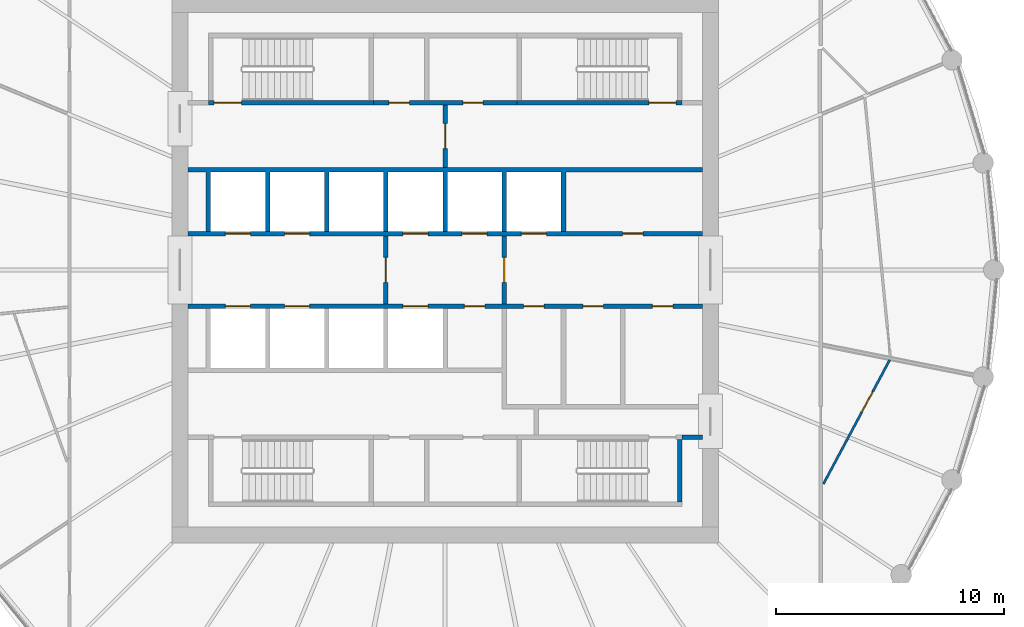
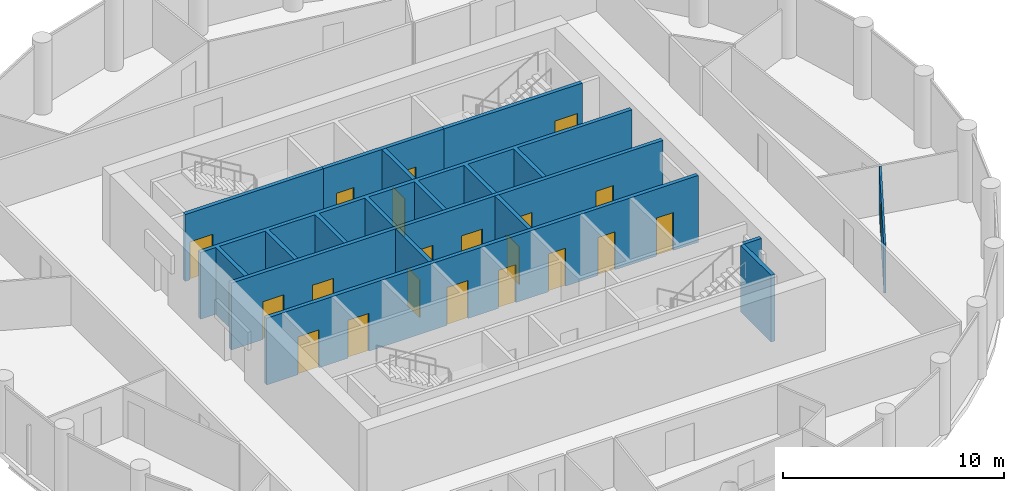
# One storey, part 5 of 8: 21 doors, 12 walls, 21 openings.
"""IFC4 building model written with IfcOpenShell, lengths in metres."""

from ifc_helpers import new_model, si_unit, direction, frame, frame_2d, origin, place, context, subcontext, project, spatial, polyline, rectangle, outline, extrude, material, layer, layer_set, type_object, element, fill, save


model = new_model("IFC4")

# Units and contexts
model_context = context("Model", 3, precision=1e-05, world=origin(), true_north=direction((0.0, 1.0)))
body_context = subcontext(model_context, "Body", "Model", "MODEL_VIEW")
ifc_project = project(units=[si_unit("LENGTHUNIT", "METRE"), si_unit("AREAUNIT", "SQUARE_METRE"), si_unit("VOLUMEUNIT", "CUBIC_METRE"), si_unit("PLANEANGLEUNIT", "RADIAN"), si_unit("MASSUNIT", "GRAM", prefix="KILO")], contexts=[model_context])

# Site, building, storey
site_placement = place(None, origin())
site = spatial("IfcSite", under=ifc_project, at=site_placement, CompositionType="ELEMENT")
building_placement = place(site_placement, origin())
building = spatial("IfcBuilding", under=site, at=building_placement, Name="Corvane Civic Tower", CompositionType="ELEMENT")
storey_placement = place(building_placement, frame((0.0, 0.0, 299.0)))
storey = spatial("IfcBuildingStorey", under=building, at=storey_placement, Name="L71", CompositionType="ELEMENT", Elevation=299.0)

# Wall, openings, doors
ifc_material_1 = material(Name="Concrete C30/37", Category="concrete")
ifc_layer_1 = layer(ifc_material_1, 0.199951171875)
ifc_layer_set_1 = layer_set([ifc_layer_1], Name="Concrete C30/37")
wall_type_1 = type_object("IfcWallType", Name="CR-WALL-200", PredefinedType="PARTITIONING", material=ifc_layer_set_1)
wall_1_placement = place(storey_placement, frame((-11.300048828125, -1.60009765625, 0.0), z_axis=(0.0, 0.0, 1.0), x_axis=(1.0, 0.0, 0.0)))
wall_1 = element("IfcWall", 1, at=wall_1_placement, inside=storey, type_object=wall_type_1, Name="L71 lift shaft wall", PredefinedType="PARTITIONING", context=body_context, shape_type="SweptSolid", body=[
    extrude(rectangle(XDim=22.60009765625, YDim=0.199951171875, at=frame_2d((11.300048828125, 0.0))), origin(), (0.0, 0.0, 1.0), 3.699951171875),
])
opening_1_placement = place(wall_1_placement, frame((1.64990234375, 0.0, 0.0)))
opening_1 = element("IfcOpeningElement", 2, at=opening_1_placement, cuts=wall_1, Name="Opening LD", PredefinedType="OPENING", context=body_context, shape_type="SweptSolid", body=[
    extrude(rectangle(XDim=1.10009765625, YDim=2.10009765625, at=frame_2d((0.550048828125, 1.050048828125))), frame((0.0, 0.10986328125, 0.0), z_axis=(0.0, -1.0, 0.0), x_axis=(1.0, 0.0, 0.0)), (0.0, 0.0, 1.0), 0.219970703125),
])
opening_2_placement = place(wall_1_placement, frame((4.25, 0.0, 0.0)))
opening_2 = element("IfcOpeningElement", 3, at=opening_2_placement, cuts=wall_1, Name="Opening LD", PredefinedType="OPENING", context=body_context, shape_type="SweptSolid", body=[
    extrude(rectangle(XDim=1.10009765625, YDim=2.10009765625, at=frame_2d((0.550048828125, 1.050048828125))), frame((0.0, 0.10986328125, 0.0), z_axis=(0.0, -1.0, 0.0), x_axis=(1.0, 0.0, 0.0)), (0.0, 0.0, 1.0), 0.219970703125),
])
opening_3_placement = place(wall_1_placement, frame((9.449951171875, 0.0, 0.0)))
opening_3 = element("IfcOpeningElement", 4, at=opening_3_placement, cuts=wall_1, Name="Opening LD", PredefinedType="OPENING", context=body_context, shape_type="SweptSolid", body=[
    extrude(rectangle(XDim=1.10009765625, YDim=2.10009765625, at=frame_2d((0.550048828125, 1.050048828125))), frame((0.0, 0.10986328125, 0.0), z_axis=(0.0, -1.0, 0.0), x_axis=(1.0, 0.0, 0.0)), (0.0, 0.0, 1.0), 0.219970703125),
])
opening_4_placement = place(wall_1_placement, frame((12.14990234375, 0.0, 0.0)))
opening_4 = element("IfcOpeningElement", 5, at=opening_4_placement, cuts=wall_1, Name="Opening L71.C02", PredefinedType="OPENING", context=body_context, shape_type="SweptSolid", body=[
    extrude(rectangle(XDim=0.89990234375, YDim=2.10009765625, at=frame_2d((0.449951171875, 1.050048828125))), frame((0.0, 0.10986328125, 0.0), z_axis=(0.0, -1.0, 0.0), x_axis=(1.0, 0.0, 0.0)), (0.0, 0.0, 1.0), 0.219970703125),
])
opening_5_placement = place(wall_1_placement, frame((14.75, 0.0, 0.0)))
opening_5 = element("IfcOpeningElement", 6, at=opening_5_placement, cuts=wall_1, Name="Opening L71.C03", PredefinedType="OPENING", context=body_context, shape_type="SweptSolid", body=[
    extrude(rectangle(XDim=0.89990234375, YDim=2.10009765625, at=frame_2d((0.449951171875, 1.050048828125))), frame((0.0, 0.10986328125, 0.0), z_axis=(0.0, -1.0, 0.0), x_axis=(1.0, 0.0, 0.0)), (0.0, 0.0, 1.0), 0.219970703125),
])
opening_6_placement = place(wall_1_placement, frame((17.35009765625, 0.0, 0.0)))
opening_6 = element("IfcOpeningElement", 7, at=opening_6_placement, cuts=wall_1, Name="Opening L71.C04", PredefinedType="OPENING", context=body_context, shape_type="SweptSolid", body=[
    extrude(rectangle(XDim=0.89990234375, YDim=2.10009765625, at=frame_2d((0.449951171875, 1.050048828125))), frame((0.0, 0.10986328125, 0.0), z_axis=(0.0, -1.0, 0.0), x_axis=(1.0, 0.0, 0.0)), (0.0, 0.0, 1.0), 0.219970703125),
])
opening_7_placement = place(wall_1_placement, frame((20.39990234375, 0.0, 0.0)))
opening_7 = element("IfcOpeningElement", 8, at=opening_7_placement, cuts=wall_1, Name="Opening L71.C05", PredefinedType="OPENING", context=body_context, shape_type="SweptSolid", body=[
    extrude(rectangle(XDim=0.89990234375, YDim=2.10009765625, at=frame_2d((0.449951171875, 1.050048828125))), frame((0.0, 0.10986328125, 0.0), z_axis=(0.0, -1.0, 0.0), x_axis=(1.0, 0.0, 0.0)), (0.0, 0.0, 1.0), 0.219970703125),
])
ifc_material_2 = material(Name="Steel fire door leaf", Category="steel")
door_type_1 = type_object("IfcDoorType", Name="CR-DOOR-900", OperationType="SINGLE_SWING_LEFT", PredefinedType="DOOR", material=ifc_material_2)
door_1_placement = place(opening_4_placement, origin())
door_1 = element("IfcDoor", 9, at=door_1_placement, inside=storey, type_object=door_type_1, Name="L71 door", OperationType="SINGLE_SWING_LEFT", OverallHeight=2.10009765625, OverallWidth=0.89990234375, PredefinedType="DOOR", context=body_context, shape_type="SweptSolid", body=[
    extrude(rectangle(XDim=0.89990234375, YDim=2.10009765625, at=frame_2d((0.449951171875, 1.050048828125))), frame((0.0, 0.02490234375, 0.0), z_axis=(0.0, -1.0, 0.0), x_axis=(1.0, 0.0, 0.0)), (0.0, 0.0, 1.0), 0.050048828125),
])
fill(opening_4, door_1)
door_2_placement = place(opening_5_placement, origin())
door_2 = element("IfcDoor", 10, at=door_2_placement, inside=storey, type_object=door_type_1, Name="L71 door", OperationType="SINGLE_SWING_LEFT", OverallHeight=2.10009765625, OverallWidth=0.89990234375, PredefinedType="DOOR", context=body_context, shape_type="SweptSolid", body=[
    extrude(rectangle(XDim=0.89990234375, YDim=2.10009765625, at=frame_2d((0.449951171875, 1.050048828125))), frame((0.0, 0.02490234375, 0.0), z_axis=(0.0, -1.0, 0.0), x_axis=(1.0, 0.0, 0.0)), (0.0, 0.0, 1.0), 0.050048828125),
])
fill(opening_5, door_2)
door_3_placement = place(opening_6_placement, origin())
door_3 = element("IfcDoor", 11, at=door_3_placement, inside=storey, type_object=door_type_1, Name="L71 door", OperationType="SINGLE_SWING_LEFT", OverallHeight=2.10009765625, OverallWidth=0.89990234375, PredefinedType="DOOR", context=body_context, shape_type="SweptSolid", body=[
    extrude(rectangle(XDim=0.89990234375, YDim=2.10009765625, at=frame_2d((0.449951171875, 1.050048828125))), frame((0.0, 0.02490234375, 0.0), z_axis=(0.0, -1.0, 0.0), x_axis=(1.0, 0.0, 0.0)), (0.0, 0.0, 1.0), 0.050048828125),
])
fill(opening_6, door_3)
door_4_placement = place(opening_7_placement, origin())
door_4 = element("IfcDoor", 12, at=door_4_placement, inside=storey, type_object=door_type_1, Name="L71 door", OperationType="SINGLE_SWING_LEFT", OverallHeight=2.10009765625, OverallWidth=0.89990234375, PredefinedType="DOOR", context=body_context, shape_type="SweptSolid", body=[
    extrude(rectangle(XDim=0.89990234375, YDim=2.10009765625, at=frame_2d((0.449951171875, 1.050048828125))), frame((0.0, 0.02490234375, 0.0), z_axis=(0.0, -1.0, 0.0), x_axis=(1.0, 0.0, 0.0)), (0.0, 0.0, 1.0), 0.050048828125),
])
fill(opening_7, door_4)
ifc_material_3 = material(Name="Stainless steel 316 door leaves", Category="steel")
door_type_2 = type_object("IfcDoorType", Name="LD", OperationType="DOUBLE_DOOR_SLIDING", PredefinedType="DOOR", material=ifc_material_3)
door_5_placement = place(opening_1_placement, origin())
door_5 = element("IfcDoor", 13, at=door_5_placement, inside=storey, type_object=door_type_2, Name="L71 landing door", OperationType="DOUBLE_DOOR_SLIDING", OverallHeight=2.10009765625, OverallWidth=1.10009765625, PredefinedType="DOOR", context=body_context, shape_type="SweptSolid", body=[
    extrude(rectangle(XDim=1.10009765625, YDim=2.10009765625, at=frame_2d((0.550048828125, 1.050048828125))), frame((0.0, 0.02490234375, 0.0), z_axis=(0.0, -1.0, 0.0), x_axis=(1.0, 0.0, 0.0)), (0.0, 0.0, 1.0), 0.050048828125),
])
fill(opening_1, door_5)
door_6_placement = place(opening_2_placement, origin())
door_6 = element("IfcDoor", 14, at=door_6_placement, inside=storey, type_object=door_type_2, Name="L71 landing door", OperationType="DOUBLE_DOOR_SLIDING", OverallHeight=2.10009765625, OverallWidth=1.10009765625, PredefinedType="DOOR", context=body_context, shape_type="SweptSolid", body=[
    extrude(rectangle(XDim=1.10009765625, YDim=2.10009765625, at=frame_2d((0.550048828125, 1.050048828125))), frame((0.0, 0.02490234375, 0.0), z_axis=(0.0, -1.0, 0.0), x_axis=(1.0, 0.0, 0.0)), (0.0, 0.0, 1.0), 0.050048828125),
])
fill(opening_2, door_6)
door_7_placement = place(opening_3_placement, origin())
door_7 = element("IfcDoor", 15, at=door_7_placement, inside=storey, type_object=door_type_2, Name="L71 landing door", OperationType="DOUBLE_DOOR_SLIDING", OverallHeight=2.10009765625, OverallWidth=1.10009765625, PredefinedType="DOOR", context=body_context, shape_type="SweptSolid", body=[
    extrude(rectangle(XDim=1.10009765625, YDim=2.10009765625, at=frame_2d((0.550048828125, 1.050048828125))), frame((0.0, 0.02490234375, 0.0), z_axis=(0.0, -1.0, 0.0), x_axis=(1.0, 0.0, 0.0)), (0.0, 0.0, 1.0), 0.050048828125),
])
fill(opening_3, door_7)

wall_2_placement = place(storey_placement, frame((-11.300048828125, 1.60009765625, 0.0), z_axis=(0.0, 0.0, 1.0), x_axis=(1.0, 0.0, 0.0)))
wall_2 = element("IfcWall", 16, at=wall_2_placement, inside=storey, type_object=wall_type_1, Name="L71 lift shaft wall", PredefinedType="PARTITIONING", context=body_context, shape_type="SweptSolid", body=[
    extrude(rectangle(XDim=22.60009765625, YDim=0.199951171875, at=frame_2d((11.300048828125, 0.0))), origin(), (0.0, 0.0, 1.0), 3.699951171875),
])
opening_8_placement = place(wall_2_placement, frame((1.64990234375, 0.0, 0.0)))
opening_8 = element("IfcOpeningElement", 17, at=opening_8_placement, cuts=wall_2, Name="Opening LD", PredefinedType="OPENING", context=body_context, shape_type="SweptSolid", body=[
    extrude(rectangle(XDim=1.10009765625, YDim=2.10009765625, at=frame_2d((0.550048828125, 1.050048828125))), frame((0.0, 0.10986328125, 0.0), z_axis=(0.0, -1.0, 0.0), x_axis=(1.0, 0.0, 0.0)), (0.0, 0.0, 1.0), 0.219970703125),
])
opening_9_placement = place(wall_2_placement, frame((4.25, 0.0, 0.0)))
opening_9 = element("IfcOpeningElement", 18, at=opening_9_placement, cuts=wall_2, Name="Opening LD", PredefinedType="OPENING", context=body_context, shape_type="SweptSolid", body=[
    extrude(rectangle(XDim=1.10009765625, YDim=2.10009765625, at=frame_2d((0.550048828125, 1.050048828125))), frame((0.0, 0.10986328125, 0.0), z_axis=(0.0, -1.0, 0.0), x_axis=(1.0, 0.0, 0.0)), (0.0, 0.0, 1.0), 0.219970703125),
])
opening_10_placement = place(wall_2_placement, frame((9.449951171875, 0.0, 0.0)))
opening_10 = element("IfcOpeningElement", 19, at=opening_10_placement, cuts=wall_2, Name="Opening LD", PredefinedType="OPENING", context=body_context, shape_type="SweptSolid", body=[
    extrude(rectangle(XDim=1.10009765625, YDim=2.10009765625, at=frame_2d((0.550048828125, 1.050048828125))), frame((0.0, 0.10986328125, 0.0), z_axis=(0.0, -1.0, 0.0), x_axis=(1.0, 0.0, 0.0)), (0.0, 0.0, 1.0), 0.219970703125),
])
opening_11_placement = place(wall_2_placement, frame((12.050048828125, 0.0, 0.0)))
opening_11 = element("IfcOpeningElement", 20, at=opening_11_placement, cuts=wall_2, Name="Opening LD", PredefinedType="OPENING", context=body_context, shape_type="SweptSolid", body=[
    extrude(rectangle(XDim=1.10009765625, YDim=2.10009765625, at=frame_2d((0.550048828125, 1.050048828125))), frame((0.0, 0.10986328125, 0.0), z_axis=(0.0, -1.0, 0.0), x_axis=(1.0, 0.0, 0.0)), (0.0, 0.0, 1.0), 0.219970703125),
])
opening_12_placement = place(wall_2_placement, frame((14.64990234375, 0.0, 0.0)))
opening_12 = element("IfcOpeningElement", 21, at=opening_12_placement, cuts=wall_2, Name="Opening LD", PredefinedType="OPENING", context=body_context, shape_type="SweptSolid", body=[
    extrude(rectangle(XDim=1.10009765625, YDim=2.10009765625, at=frame_2d((0.550048828125, 1.050048828125))), frame((0.0, 0.10986328125, 0.0), z_axis=(0.0, -1.0, 0.0), x_axis=(1.0, 0.0, 0.0)), (0.0, 0.0, 1.0), 0.219970703125),
])
opening_13_placement = place(wall_2_placement, frame((19.10009765625, 0.0, 0.0)))
opening_13 = element("IfcOpeningElement", 22, at=opening_13_placement, cuts=wall_2, Name="Opening L71.C01", PredefinedType="OPENING", context=body_context, shape_type="SweptSolid", body=[
    extrude(rectangle(XDim=0.89990234375, YDim=2.10009765625, at=frame_2d((0.449951171875, 1.050048828125))), frame((0.0, 0.10986328125, 0.0), z_axis=(0.0, -1.0, 0.0), x_axis=(1.0, 0.0, 0.0)), (0.0, 0.0, 1.0), 0.219970703125),
])
door_8_placement = place(opening_13_placement, origin())
door_8 = element("IfcDoor", 23, at=door_8_placement, inside=storey, type_object=door_type_1, Name="L71 door", OperationType="SINGLE_SWING_LEFT", OverallHeight=2.10009765625, OverallWidth=0.89990234375, PredefinedType="DOOR", context=body_context, shape_type="SweptSolid", body=[
    extrude(rectangle(XDim=0.89990234375, YDim=2.10009765625, at=frame_2d((0.449951171875, 1.050048828125))), frame((0.0, 0.02490234375, 0.0), z_axis=(0.0, -1.0, 0.0), x_axis=(1.0, 0.0, 0.0)), (0.0, 0.0, 1.0), 0.050048828125),
])
fill(opening_13, door_8)
door_9_placement = place(opening_8_placement, origin())
door_9 = element("IfcDoor", 24, at=door_9_placement, inside=storey, type_object=door_type_2, Name="L71 landing door", OperationType="DOUBLE_DOOR_SLIDING", OverallHeight=2.10009765625, OverallWidth=1.10009765625, PredefinedType="DOOR", context=body_context, shape_type="SweptSolid", body=[
    extrude(rectangle(XDim=1.10009765625, YDim=2.10009765625, at=frame_2d((0.550048828125, 1.050048828125))), frame((0.0, 0.02490234375, 0.0), z_axis=(0.0, -1.0, 0.0), x_axis=(1.0, 0.0, 0.0)), (0.0, 0.0, 1.0), 0.050048828125),
])
fill(opening_8, door_9)
door_10_placement = place(opening_9_placement, origin())
door_10 = element("IfcDoor", 25, at=door_10_placement, inside=storey, type_object=door_type_2, Name="L71 landing door", OperationType="DOUBLE_DOOR_SLIDING", OverallHeight=2.10009765625, OverallWidth=1.10009765625, PredefinedType="DOOR", context=body_context, shape_type="SweptSolid", body=[
    extrude(rectangle(XDim=1.10009765625, YDim=2.10009765625, at=frame_2d((0.550048828125, 1.050048828125))), frame((0.0, 0.02490234375, 0.0), z_axis=(0.0, -1.0, 0.0), x_axis=(1.0, 0.0, 0.0)), (0.0, 0.0, 1.0), 0.050048828125),
])
fill(opening_9, door_10)
door_11_placement = place(opening_10_placement, origin())
door_11 = element("IfcDoor", 26, at=door_11_placement, inside=storey, type_object=door_type_2, Name="L71 landing door", OperationType="DOUBLE_DOOR_SLIDING", OverallHeight=2.10009765625, OverallWidth=1.10009765625, PredefinedType="DOOR", context=body_context, shape_type="SweptSolid", body=[
    extrude(rectangle(XDim=1.10009765625, YDim=2.10009765625, at=frame_2d((0.550048828125, 1.050048828125))), frame((0.0, 0.02490234375, 0.0), z_axis=(0.0, -1.0, 0.0), x_axis=(1.0, 0.0, 0.0)), (0.0, 0.0, 1.0), 0.050048828125),
])
fill(opening_10, door_11)
door_12_placement = place(opening_11_placement, origin())
door_12 = element("IfcDoor", 27, at=door_12_placement, inside=storey, type_object=door_type_2, Name="L71 landing door", OperationType="DOUBLE_DOOR_SLIDING", OverallHeight=2.10009765625, OverallWidth=1.10009765625, PredefinedType="DOOR", context=body_context, shape_type="SweptSolid", body=[
    extrude(rectangle(XDim=1.10009765625, YDim=2.10009765625, at=frame_2d((0.550048828125, 1.050048828125))), frame((0.0, 0.02490234375, 0.0), z_axis=(0.0, -1.0, 0.0), x_axis=(1.0, 0.0, 0.0)), (0.0, 0.0, 1.0), 0.050048828125),
])
fill(opening_11, door_12)
door_13_placement = place(opening_12_placement, origin())
door_13 = element("IfcDoor", 28, at=door_13_placement, inside=storey, type_object=door_type_2, Name="L71 landing door", OperationType="DOUBLE_DOOR_SLIDING", OverallHeight=2.10009765625, OverallWidth=1.10009765625, PredefinedType="DOOR", context=body_context, shape_type="SweptSolid", body=[
    extrude(rectangle(XDim=1.10009765625, YDim=2.10009765625, at=frame_2d((0.550048828125, 1.050048828125))), frame((0.0, 0.02490234375, 0.0), z_axis=(0.0, -1.0, 0.0), x_axis=(1.0, 0.0, 0.0)), (0.0, 0.0, 1.0), 0.050048828125),
])
fill(opening_12, door_13)

wall_3_placement = place(storey_placement, frame((-3.14990234375, 7.35009765625, 0.0), z_axis=(0.0, 0.0, 1.0), x_axis=(1.0, 0.0, 0.0)))
wall_3 = element("IfcWall", 29, at=wall_3_placement, inside=storey, type_object=wall_type_1, Name="L71 partition wall", PredefinedType="PARTITIONING", context=body_context, shape_type="SweptSolid", body=[
    extrude(rectangle(XDim=6.2998046875, YDim=0.199951171875, at=frame_2d((3.14990234375, 0.0))), origin(), (0.0, 0.0, 1.0), 3.699951171875),
])
opening_14_placement = place(wall_3_placement, frame((0.675048828125, 0.0, 0.0)))
opening_14 = element("IfcOpeningElement", 30, at=opening_14_placement, cuts=wall_3, Name="Opening L71.C06", PredefinedType="OPENING", context=body_context, shape_type="SweptSolid", body=[
    extrude(rectangle(XDim=0.89990234375, YDim=2.10009765625, at=frame_2d((0.449951171875, 1.050048828125))), frame((0.0, 0.10986328125, 0.0), z_axis=(0.0, -1.0, 0.0), x_axis=(1.0, 0.0, 0.0)), (0.0, 0.0, 1.0), 0.219970703125),
])
opening_15_placement = place(wall_3_placement, frame((3.925048828125, 0.0, 0.0)))
opening_15 = element("IfcOpeningElement", 31, at=opening_15_placement, cuts=wall_3, Name="Opening L71.C07", PredefinedType="OPENING", context=body_context, shape_type="SweptSolid", body=[
    extrude(rectangle(XDim=0.89990234375, YDim=2.10009765625, at=frame_2d((0.449951171875, 1.050048828125))), frame((0.0, 0.10986328125, 0.0), z_axis=(0.0, -1.0, 0.0), x_axis=(1.0, 0.0, 0.0)), (0.0, 0.0, 1.0), 0.219970703125),
])
door_14_placement = place(opening_14_placement, origin())
door_14 = element("IfcDoor", 32, at=door_14_placement, inside=storey, type_object=door_type_1, Name="L71 door", OperationType="SINGLE_SWING_LEFT", OverallHeight=2.10009765625, OverallWidth=0.89990234375, PredefinedType="DOOR", context=body_context, shape_type="SweptSolid", body=[
    extrude(rectangle(XDim=0.89990234375, YDim=2.10009765625, at=frame_2d((0.449951171875, 1.050048828125))), frame((0.0, 0.02490234375, 0.0), z_axis=(0.0, -1.0, 0.0), x_axis=(1.0, 0.0, 0.0)), (0.0, 0.0, 1.0), 0.050048828125),
])
fill(opening_14, door_14)
door_15_placement = place(opening_15_placement, origin())
door_15 = element("IfcDoor", 33, at=door_15_placement, inside=storey, type_object=door_type_1, Name="L71 door", OperationType="SINGLE_SWING_LEFT", OverallHeight=2.10009765625, OverallWidth=0.89990234375, PredefinedType="DOOR", context=body_context, shape_type="SweptSolid", body=[
    extrude(rectangle(XDim=0.89990234375, YDim=2.10009765625, at=frame_2d((0.449951171875, 1.050048828125))), frame((0.0, 0.02490234375, 0.0), z_axis=(0.0, -1.0, 0.0), x_axis=(1.0, 0.0, 0.0)), (0.0, 0.0, 1.0), 0.050048828125),
])
fill(opening_15, door_15)

# Wall, opening, door
wall_4_placement = place(storey_placement, frame((-2.60009765625, -1.5, 0.0), z_axis=(0.0, 0.0, 1.0), x_axis=(0.0, 1.0, 0.0)))
wall_4 = element("IfcWall", 34, at=wall_4_placement, inside=storey, type_object=wall_type_1, Name="L71 firefighting lobby wall", PredefinedType="PARTITIONING", context=body_context, shape_type="SweptSolid", body=[
    extrude(rectangle(XDim=3.0, YDim=0.199951171875, at=frame_2d((1.5, 0.0))), origin(), (0.0, 0.0, 1.0), 3.699951171875),
])
opening_16_placement = place(wall_4_placement, frame((0.949951171875, 0.0, 0.0)))
opening_16 = element("IfcOpeningElement", 35, at=opening_16_placement, cuts=wall_4, Name="Opening L71.C14", PredefinedType="OPENING", context=body_context, shape_type="SweptSolid", body=[
    extrude(rectangle(XDim=1.10009765625, YDim=2.10009765625, at=frame_2d((0.550048828125, 1.050048828125))), frame((0.0, 0.10986328125, 0.0), z_axis=(0.0, -1.0, 0.0), x_axis=(1.0, 0.0, 0.0)), (0.0, 0.0, 1.0), 0.219970703125),
])
ifc_material_4 = material(Name="Steel fire door leaf", Category="steel")
door_type_3 = type_object("IfcDoorType", Name="CR-DOOR-FFL-1100", OperationType="SINGLE_SWING_LEFT", PredefinedType="DOOR", material=ifc_material_4)
door_16_placement = place(opening_16_placement, origin())
door_16 = element("IfcDoor", 36, at=door_16_placement, inside=storey, type_object=door_type_3, Name="L71 lobby door", OperationType="SINGLE_SWING_LEFT", OverallHeight=2.10009765625, OverallWidth=1.10009765625, PredefinedType="DOOR", context=body_context, shape_type="SweptSolid", body=[
    extrude(rectangle(XDim=1.10009765625, YDim=2.10009765625, at=frame_2d((0.550048828125, 1.050048828125))), frame((0.0, 0.02490234375, 0.0), z_axis=(0.0, -1.0, 0.0), x_axis=(1.0, 0.0, 0.0)), (0.0, 0.0, 1.0), 0.050048828125),
])
fill(opening_16, door_16)

wall_5_placement = place(storey_placement, frame((0.0, 4.5, 0.0), z_axis=(0.0, 0.0, 1.0), x_axis=(0.0, 1.0, 0.0)))
wall_5 = element("IfcWall", 37, at=wall_5_placement, inside=storey, type_object=wall_type_1, Name="L71 core partition wall", PredefinedType="PARTITIONING", context=body_context, shape_type="SweptSolid", body=[
    extrude(rectangle(XDim=2.75, YDim=0.199951171875, at=frame_2d((1.375, 0.0))), origin(), (0.0, 0.0, 1.0), 3.699951171875),
])
opening_17_placement = place(wall_5_placement, frame((0.824951171875, 0.0, 0.0)))
opening_17 = element("IfcOpeningElement", 38, at=opening_17_placement, cuts=wall_5, Name="Opening L71.C16", PredefinedType="OPENING", context=body_context, shape_type="SweptSolid", body=[
    extrude(rectangle(XDim=1.10009765625, YDim=2.10009765625, at=frame_2d((0.550048828125, 1.050048828125))), frame((0.0, 0.10986328125, 0.0), z_axis=(0.0, -1.0, 0.0), x_axis=(1.0, 0.0, 0.0)), (0.0, 0.0, 1.0), 0.219970703125),
])
door_17_placement = place(opening_17_placement, origin())
door_17 = element("IfcDoor", 39, at=door_17_placement, inside=storey, type_object=door_type_3, Name="L71 lobby door", OperationType="SINGLE_SWING_LEFT", OverallHeight=2.10009765625, OverallWidth=1.10009765625, PredefinedType="DOOR", context=body_context, shape_type="SweptSolid", body=[
    extrude(rectangle(XDim=1.10009765625, YDim=2.10009765625, at=frame_2d((0.550048828125, 1.050048828125))), frame((0.0, 0.02490234375, 0.0), z_axis=(0.0, -1.0, 0.0), x_axis=(1.0, 0.0, 0.0)), (0.0, 0.0, 1.0), 0.050048828125),
])
fill(opening_17, door_17)

wall_6_placement = place(storey_placement, frame((2.60009765625, -1.5, 0.0), z_axis=(0.0, 0.0, 1.0), x_axis=(0.0, 1.0, 0.0)))
wall_6 = element("IfcWall", 40, at=wall_6_placement, inside=storey, type_object=wall_type_1, Name="L71 firefighting lobby wall", PredefinedType="PARTITIONING", context=body_context, shape_type="SweptSolid", body=[
    extrude(rectangle(XDim=3.0, YDim=0.199951171875, at=frame_2d((1.5, 0.0))), origin(), (0.0, 0.0, 1.0), 3.699951171875),
])
opening_18_placement = place(wall_6_placement, frame((0.949951171875, 0.0, 0.0)))
opening_18 = element("IfcOpeningElement", 41, at=opening_18_placement, cuts=wall_6, Name="Opening L71.C15", PredefinedType="OPENING", context=body_context, shape_type="SweptSolid", body=[
    extrude(rectangle(XDim=1.10009765625, YDim=2.10009765625, at=frame_2d((0.550048828125, 1.050048828125))), frame((0.0, 0.10986328125, 0.0), z_axis=(0.0, -1.0, 0.0), x_axis=(1.0, 0.0, 0.0)), (0.0, 0.0, 1.0), 0.219970703125),
])
door_18_placement = place(opening_18_placement, origin())
door_18 = element("IfcDoor", 42, at=door_18_placement, inside=storey, type_object=door_type_3, Name="L71 lobby door", OperationType="SINGLE_SWING_LEFT", OverallHeight=2.10009765625, OverallWidth=1.10009765625, PredefinedType="DOOR", context=body_context, shape_type="SweptSolid", body=[
    extrude(rectangle(XDim=1.10009765625, YDim=2.10009765625, at=frame_2d((0.550048828125, 1.050048828125))), frame((0.0, 0.02490234375, 0.0), z_axis=(0.0, -1.0, 0.0), x_axis=(1.0, 0.0, 0.0)), (0.0, 0.0, 1.0), 0.050048828125),
])
fill(opening_18, door_18)

# Walls
wall_7_placement = place(storey_placement, origin())
element("IfcWall", 43, at=wall_7_placement, inside=storey, type_object=wall_type_1, Name="L71 core partition wall", PredefinedType="PARTITIONING", context=body_context, shape_type="SweptSolid", body=[
    extrude(outline(polyline([(0.10009765625, 1.699951171875), (-0.10009765625, 1.699951171875), (-0.10009765625, 4.300048828125), (-2.5, 4.300048828125), (-2.5, 1.699951171875), (-2.699951171875, 1.699951171875), (-2.699951171875, 4.300048828125), (-5.10009765625, 4.300048828125), (-5.10009765625, 1.699951171875), (-5.300048828125, 1.699951171875), (-5.300048828125, 4.300048828125), (-7.699951171875, 4.300048828125), (-7.699951171875, 1.699951171875), (-7.89990234375, 1.699951171875), (-7.89990234375, 4.300048828125), (-10.300048828125, 4.300048828125), (-10.300048828125, 1.699951171875), (-10.5, 1.699951171875), (-10.5, 4.300048828125), (-11.300048828125, 4.300048828125), (-11.300048828125, 4.5), (11.300048828125, 4.5), (11.300048828125, 4.300048828125), (5.300048828125, 4.300048828125), (5.300048828125, 1.699951171875), (5.10009765625, 1.699951171875), (5.10009765625, 4.300048828125), (2.699951171875, 4.300048828125), (2.699951171875, 1.699951171875), (2.5, 1.699951171875), (2.5, 4.300048828125), (0.10009765625, 4.300048828125), (0.10009765625, 1.699951171875)])), origin(), (0.0, 0.0, 1.0), 3.699951171875),
])
wall_8_placement = place(storey_placement, origin())
element("IfcWall", 44, at=wall_8_placement, inside=storey, type_object=wall_type_1, Name="L71 core partition wall", PredefinedType="PARTITIONING", context=body_context, shape_type="SweptSolid", body=[
    extrude(outline(polyline([(11.300048828125, -7.449951171875), (10.39990234375, -7.449951171875), (10.39990234375, -7.25), (11.300048828125, -7.25), (11.300048828125, -7.449951171875)])), origin(), (0.0, 0.0, 1.0), 3.699951171875),
])

# Wall, opening, door
ifc_material_5 = material(Name="Plasterboard")
ifc_layer_2 = layer(ifc_material_5, 0.10009765625)
ifc_layer_set_2 = layer_set([ifc_layer_2], Name="Plasterboard")
wall_type_2 = type_object("IfcWallType", Name="Partition 100 plasterboard on studs", PredefinedType="PARTITIONING", material=ifc_layer_set_2)
wall_9_placement = place(storey_placement, frame((16.619140625, -9.396484375, 0.0), z_axis=(0.0, 0.0, 1.0), x_axis=(0.471386284429, 0.881926851191, 0.0)))
wall_9 = element("IfcWall", 45, at=wall_9_placement, inside=storey, type_object=wall_type_2, Name="Partition L71.017", PredefinedType="PARTITIONING", context=body_context, shape_type="SweptSolid", body=[
    extrude(rectangle(XDim=6.175048828125, YDim=0.10009765625, at=frame_2d((3.08740234375, 0.0))), origin(), (0.0, 0.0, 1.0), 2.699951171875),
])
opening_19_placement = place(wall_9_placement, frame((3.58154296875, 0.0, 0.0)))
opening_19 = element("IfcOpeningElement", 46, at=opening_19_placement, cuts=wall_9, Name="Opening L71.003", PredefinedType="OPENING", context=body_context, shape_type="SweptSolid", body=[
    extrude(rectangle(XDim=1.0, YDim=2.10009765625, at=frame_2d((0.5, 1.050048828125))), frame((0.0, 0.06005859375, 0.0), z_axis=(0.0, -1.0, 0.0), x_axis=(1.0, 0.0, 0.0)), (0.0, 0.0, 1.0), 0.1201171875),
])
ifc_material_6 = material(Name="Timber", Category="wood")
door_type_4 = type_object("IfcDoorType", Name="Single door 1000", OperationType="NOTDEFINED", PredefinedType="DOOR", material=ifc_material_6)
door_19_placement = place(opening_19_placement, frame((1.0, 0.0, 0.0), z_axis=(0.0, 0.0, 1.0), x_axis=(-1.0, 0.0, 0.0)))
door_19 = element("IfcDoor", 47, at=door_19_placement, inside=storey, type_object=door_type_4, Name="Door L71.003", OperationType="SINGLE_SWING_RIGHT", OverallHeight=2.10009765625, OverallWidth=1.0, PredefinedType="DOOR", context=body_context, shape_type="SweptSolid", body=[
    extrude(rectangle(XDim=1.0, YDim=2.10009765625, at=frame_2d((0.5, 1.050048828125))), frame((0.0, 0.02490234375, 0.0), z_axis=(0.0, -1.0, 0.0), x_axis=(1.0, 0.0, 0.0)), (0.0, 0.0, 1.0), 0.050048828125),
])
fill(opening_19, door_19)

ifc_material_7 = material(Name="Concrete C50/60", Category="concrete")
ifc_layer_3 = layer(ifc_material_7, 0.199951171875)
ifc_layer_set_3 = layer_set([ifc_layer_3], Name="Concrete C50/60")
wall_type_3 = type_object("IfcWallType", Name="ST-WALL-200", PredefinedType="SHEAR", material=ifc_layer_set_3)
wall_10_placement = place(storey_placement, frame((-10.39990234375, 7.35009765625, 0.0), z_axis=(0.0, 0.0, 1.0), x_axis=(1.0, 0.0, 0.0)))
wall_10 = element("IfcWall", 48, at=wall_10_placement, inside=storey, type_object=wall_type_3, Name="L71 stair enclosure wall", PredefinedType="SHEAR", context=body_context, shape_type="SweptSolid", body=[
    extrude(rectangle(XDim=7.25, YDim=0.199951171875, at=frame_2d((3.625, 0.0))), origin(), (0.0, 0.0, 1.0), 3.699951171875),
])
opening_20_placement = place(wall_10_placement, frame((0.25, 0.0, 0.0)))
opening_20 = element("IfcOpeningElement", 49, at=opening_20_placement, cuts=wall_10, Name="Opening L71.C11", PredefinedType="OPENING", context=body_context, shape_type="SweptSolid", body=[
    extrude(rectangle(XDim=1.199951171875, YDim=2.10009765625, at=frame_2d((0.60009765625, 1.050048828125))), frame((0.0, 0.10986328125, 0.0), z_axis=(0.0, -1.0, 0.0), x_axis=(1.0, 0.0, 0.0)), (0.0, 0.0, 1.0), 0.219970703125),
])
ifc_material_8 = material(Name="Steel fire door leaf", Category="steel")
door_type_5 = type_object("IfcDoorType", Name="ST-DOOR-1200", OperationType="SINGLE_SWING_RIGHT", PredefinedType="DOOR", material=ifc_material_8)
door_20_placement = place(opening_20_placement, origin())
door_20 = element("IfcDoor", 50, at=door_20_placement, inside=storey, type_object=door_type_5, Name="L71 stair door", OperationType="SINGLE_SWING_RIGHT", OverallHeight=2.10009765625, OverallWidth=1.199951171875, PredefinedType="DOOR", context=body_context, shape_type="SweptSolid", body=[
    extrude(rectangle(XDim=1.199951171875, YDim=2.10009765625, at=frame_2d((0.60009765625, 1.050048828125))), frame((0.0, 0.02490234375, 0.0), z_axis=(0.0, -1.0, 0.0), x_axis=(1.0, 0.0, 0.0)), (0.0, 0.0, 1.0), 0.050048828125),
])
fill(opening_20, door_20)

wall_11_placement = place(storey_placement, frame((3.14990234375, 7.35009765625, 0.0), z_axis=(0.0, 0.0, 1.0), x_axis=(1.0, 0.0, 0.0)))
wall_11 = element("IfcWall", 51, at=wall_11_placement, inside=storey, type_object=wall_type_3, Name="L71 stair enclosure wall", PredefinedType="SHEAR", context=body_context, shape_type="SweptSolid", body=[
    extrude(rectangle(XDim=7.25, YDim=0.199951171875, at=frame_2d((3.625, 0.0))), origin(), (0.0, 0.0, 1.0), 3.699951171875),
])
opening_21_placement = place(wall_11_placement, frame((5.800048828125, 0.0, 0.0)))
opening_21 = element("IfcOpeningElement", 52, at=opening_21_placement, cuts=wall_11, Name="Opening L71.C10", PredefinedType="OPENING", context=body_context, shape_type="SweptSolid", body=[
    extrude(rectangle(XDim=1.199951171875, YDim=2.10009765625, at=frame_2d((0.60009765625, 1.050048828125))), frame((0.0, 0.10986328125, 0.0), z_axis=(0.0, -1.0, 0.0), x_axis=(1.0, 0.0, 0.0)), (0.0, 0.0, 1.0), 0.219970703125),
])
door_21_placement = place(opening_21_placement, origin())
door_21 = element("IfcDoor", 53, at=door_21_placement, inside=storey, type_object=door_type_5, Name="L71 stair door", OperationType="SINGLE_SWING_RIGHT", OverallHeight=2.10009765625, OverallWidth=1.199951171875, PredefinedType="DOOR", context=body_context, shape_type="SweptSolid", body=[
    extrude(rectangle(XDim=1.199951171875, YDim=2.10009765625, at=frame_2d((0.60009765625, 1.050048828125))), frame((0.0, 0.02490234375, 0.0), z_axis=(0.0, -1.0, 0.0), x_axis=(1.0, 0.0, 0.0)), (0.0, 0.0, 1.0), 0.050048828125),
])
fill(opening_21, door_21)

# Wall
wall_12_placement = place(storey_placement, origin())
element("IfcWall", 54, at=wall_12_placement, inside=storey, type_object=wall_type_3, Name="L71 stair enclosure wall", PredefinedType="SHEAR", context=body_context, shape_type="SweptSolid", body=[
    extrude(outline(polyline([(10.39990234375, -7.449951171875), (10.39990234375, -10.199951171875), (10.199951171875, -10.199951171875), (10.199951171875, -7.449951171875), (10.39990234375, -7.449951171875)])), origin(), (0.0, 0.0, 1.0), 3.699951171875),
])

save(model, "model.ifc")
